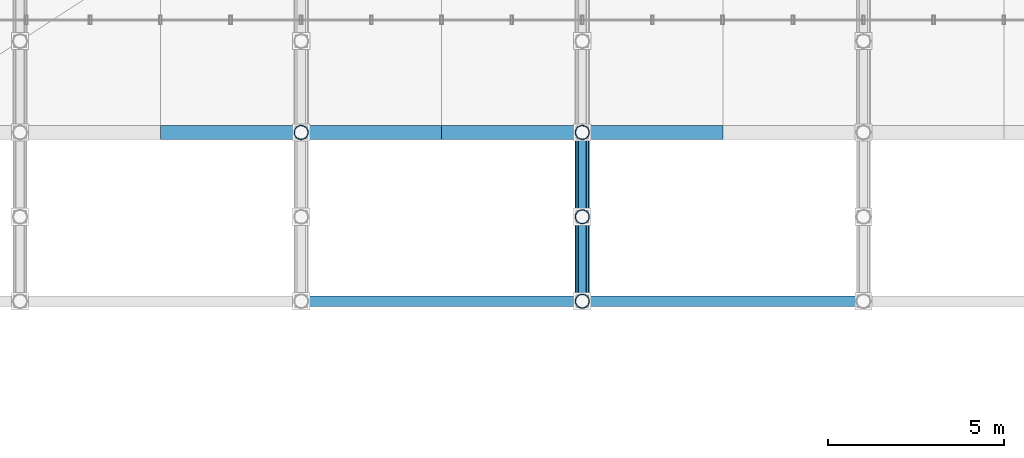
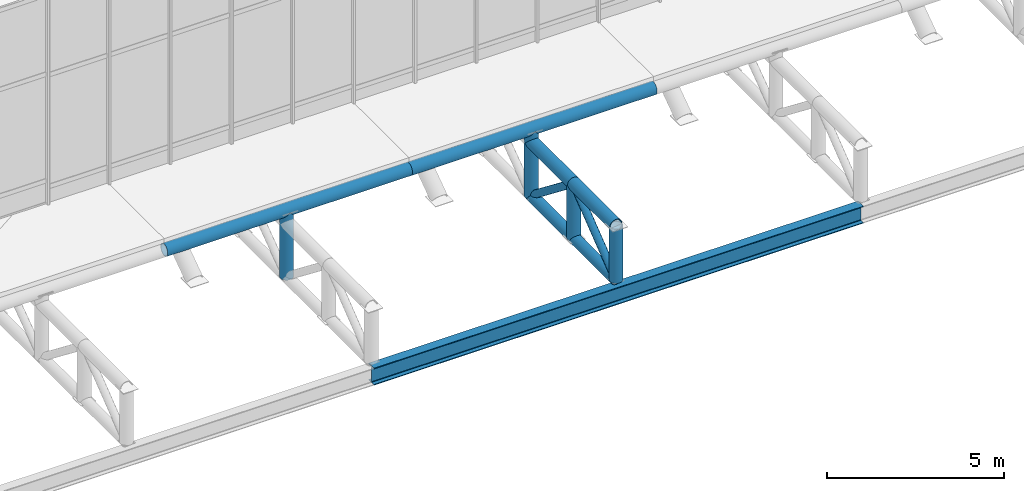
# One storey, part 44 of 137: 12 members, 1 beam.
"""IFC4 building model written with IfcOpenShell, lengths in metres."""

from ifc_helpers import new_model, si_unit, direction, frame, origin, origin_2d, place, context, subcontext, project, spatial, hollow_circle, i_section, extrude, material, material_profile, profile_set, type_object, element, save


model = new_model("IFC4")

# Units and contexts
model_context = context("Model", 3, precision=1e-05, world=origin(), true_north=direction((0.0, 1.0)))
body_context = subcontext(model_context, "Body", "Model", "MODEL_VIEW")
ifc_project = project(units=[si_unit("LENGTHUNIT", "METRE"), si_unit("AREAUNIT", "SQUARE_METRE"), si_unit("VOLUMEUNIT", "CUBIC_METRE"), si_unit("PLANEANGLEUNIT", "RADIAN"), si_unit("MASSUNIT", "GRAM", prefix="KILO")], contexts=[model_context])

# Site, building, storey
site_placement = place(None, origin())
site = spatial("IfcSite", under=ifc_project, at=site_placement, CompositionType="ELEMENT")
building_placement = place(site_placement, origin())
building = spatial("IfcBuilding", under=site, at=building_placement, Name="Khorjan Park Terminus", CompositionType="ELEMENT")
storey_placement = place(building_placement, frame((0.0, 0.0, 11.4)))
storey = spatial("IfcBuildingStorey", under=building, at=storey_placement, Name="L02", CompositionType="ELEMENT", Elevation=11.4)

# Beam
ifc_material = material(Name="Steel S355", Category="steel")
ifc_material_profile_1 = material_profile(ifc_material, i_section(OverallWidth=0.3, OverallDepth=0.59, WebThickness=0.013, FlangeThickness=0.025, FilletRadius=0.027, at=origin_2d()), Name="HEA 600")
ifc_profile_set_1 = profile_set([ifc_material_profile_1], Name="Steel S355")
beam_type = type_object("IfcBeamType", Name="BM-HEA600", PredefinedType="BEAM", material=ifc_profile_set_1)
beam_placement = place(storey_placement, frame((80.0, 78.0, -2.395), z_axis=(1.0, 0.0, 0.0), x_axis=(0.0, 1.0, 0.0)))
element("IfcBeam", 1, at=beam_placement, inside=storey, type_object=beam_type, Name="Lower shell truss support girder SB-A60 (X28)", PredefinedType="BEAM", context=body_context, shape_type="SweptSolid", body=[
    extrude(i_section(OverallWidth=0.3, OverallDepth=0.59, WebThickness=0.013, FlangeThickness=0.025, FilletRadius=0.027, at=origin_2d()), origin(), (0.0, 0.0, 1.0), 16.0),
])

# Members
ifc_material_profile_2 = material_profile(ifc_material, hollow_circle(Radius=0.1222, WallThickness=0.0125, at=origin_2d()), Name="CHS 244.5x12.5")
ifc_profile_set_2 = profile_set([ifc_material_profile_2], Name="Steel S355")
member_type_1 = type_object("IfcMemberType", Name="MB-BR-245", PredefinedType="BRACE", material=ifc_profile_set_2)
for number, where, z_axis, x_axis, name in (
    (2, (88.0, 78.0, -1.92), (0.0, 0.788820985003, 0.614623017482), (-1.0, 0.0, 0.0), "Lower shell cantilever truss diagonal (6N)"),
    (3, (88.0, 80.4, -0.05), (0.0, 0.788820985003, -0.614623017482), (-1.0, 0.0, 0.0), "Lower shell cantilever truss diagonal (6N)"),
):
    element("IfcMember", number, at=place(storey_placement, frame(where, z_axis=z_axis, x_axis=x_axis)), inside=storey, type_object=member_type_1, Name=name, PredefinedType="BRACE", context=body_context, shape_type="SweptSolid", body=[
        extrude(hollow_circle(Radius=0.1222, WallThickness=0.0125, at=origin_2d()), origin(), (0.0, 0.0, 1.0), 3.0425),
    ])
ifc_material_profile_3 = material_profile(ifc_material, hollow_circle(Radius=0.1778, WallThickness=0.016, at=origin_2d()), Name="CHS 355.6x16")
ifc_profile_set_3 = profile_set([ifc_material_profile_3], Name="Steel S355")
member_type_2 = type_object("IfcMemberType", Name="MB-CH-356", PredefinedType="CHORD", material=ifc_profile_set_3)
for number, where, z_axis, x_axis, name in (
    (4, (88.0, 78.0, -1.92), (0.0, 1.0, 0.0), (-1.0, 0.0, 0.0), "Lower shell cantilever truss bottom chord (6N)"),
    (5, (88.0, 80.4, -1.92), (0.0, 1.0, 0.0), (-1.0, 0.0, 0.0), "Lower shell cantilever truss bottom chord (6N)"),
):
    element("IfcMember", number, at=place(storey_placement, frame(where, z_axis=z_axis, x_axis=x_axis)), inside=storey, type_object=member_type_2, Name=name, PredefinedType="CHORD", context=body_context, shape_type="SweptSolid", body=[
        extrude(hollow_circle(Radius=0.1778, WallThickness=0.016, at=origin_2d()), origin(), (0.0, 0.0, 1.0), 2.4),
    ])
ifc_material_profile_4 = material_profile(ifc_material, hollow_circle(Radius=0.2032, WallThickness=0.016, at=origin_2d()), Name="CHS 406.4x16")
ifc_profile_set_4 = profile_set([ifc_material_profile_4], Name="Steel S355")
member_type_3 = type_object("IfcMemberType", Name="MB-CH-406", PredefinedType="CHORD", material=ifc_profile_set_4)
for number, where, z_axis, x_axis, name in (
    (6, (76.0, 82.8, 0.392), (1.0, 0.0, 0.0), (0.0, 1.0, 0.0), "Lower wrapping shell rim chord (95)"),
    (7, (84.0, 82.8, 0.392), (1.0, 0.0, 0.0), (0.0, 1.0, 0.0), "Lower wrapping shell rim chord (96)"),
):
    element("IfcMember", number, at=place(storey_placement, frame(where, z_axis=z_axis, x_axis=x_axis)), inside=storey, type_object=member_type_3, Name=name, PredefinedType="CHORD", context=body_context, shape_type="SweptSolid", body=[
        extrude(hollow_circle(Radius=0.2032, WallThickness=0.016, at=origin_2d()), origin(), (0.0, 0.0, 1.0), 8.0),
    ])
for number, where, z_axis, x_axis, name in (
    (8, (88.0, 78.0, -0.05), (0.0, 1.0, 0.0), (-1.0, 0.0, 0.0), "Lower shell cantilever truss top chord (6N)"),
    (9, (88.0, 80.4, -0.05), (0.0, 1.0, 0.0), (-1.0, 0.0, 0.0), "Lower shell cantilever truss top chord (6N)"),
):
    element("IfcMember", number, at=place(storey_placement, frame(where, z_axis=z_axis, x_axis=x_axis)), inside=storey, type_object=member_type_3, Name=name, PredefinedType="CHORD", context=body_context, shape_type="SweptSolid", body=[
        extrude(hollow_circle(Radius=0.2032, WallThickness=0.016, at=origin_2d()), origin(), (0.0, 0.0, 1.0), 2.4),
    ])
ifc_material_profile_5 = material_profile(ifc_material, hollow_circle(Radius=0.2032, WallThickness=0.016, at=origin_2d()), Name="CHS 406.4x16")
ifc_profile_set_5 = profile_set([ifc_material_profile_5], Name="Steel S355")
member_type_4 = type_object("IfcMemberType", Name="MB-ST-406", PredefinedType="STRUT", material=ifc_profile_set_5)
member_1_placement = place(storey_placement, frame((80.0, 82.8, -1.92), z_axis=(0.0, 0.0, 1.0), x_axis=(1.0, 0.0, 0.0)))
element("IfcMember", 10, at=member_1_placement, inside=storey, type_object=member_type_4, Name="Lower shell cantilever truss post (5N)", PredefinedType="STRUT", context=body_context, shape_type="SweptSolid", body=[
    extrude(hollow_circle(Radius=0.2032, WallThickness=0.016, at=origin_2d()), origin(), (0.0, 0.0, 1.0), 2.312),
])
for number, where, z_axis, x_axis, name in (
    (11, (88.0, 78.0, -1.92), (0.0, 0.0, 1.0), (1.0, 0.0, 0.0), "Lower shell cantilever truss post (6N)"),
    (12, (88.0, 80.4, -1.92), (0.0, 0.0, 1.0), (1.0, 0.0, 0.0), "Lower shell cantilever truss post (6N)"),
):
    element("IfcMember", number, at=place(storey_placement, frame(where, z_axis=z_axis, x_axis=x_axis)), inside=storey, type_object=member_type_4, Name=name, PredefinedType="STRUT", context=body_context, shape_type="SweptSolid", body=[
        extrude(hollow_circle(Radius=0.2032, WallThickness=0.016, at=origin_2d()), origin(), (0.0, 0.0, 1.0), 1.87),
    ])
member_2_placement = place(storey_placement, frame((88.0, 82.8, -1.92), z_axis=(0.0, 0.0, 1.0), x_axis=(1.0, 0.0, 0.0)))
element("IfcMember", 13, at=member_2_placement, inside=storey, type_object=member_type_4, Name="Lower shell cantilever truss post (6N)", PredefinedType="STRUT", context=body_context, shape_type="SweptSolid", body=[
    extrude(hollow_circle(Radius=0.2032, WallThickness=0.016, at=origin_2d()), origin(), (0.0, 0.0, 1.0), 2.312),
])

save(model, "model.ifc")
